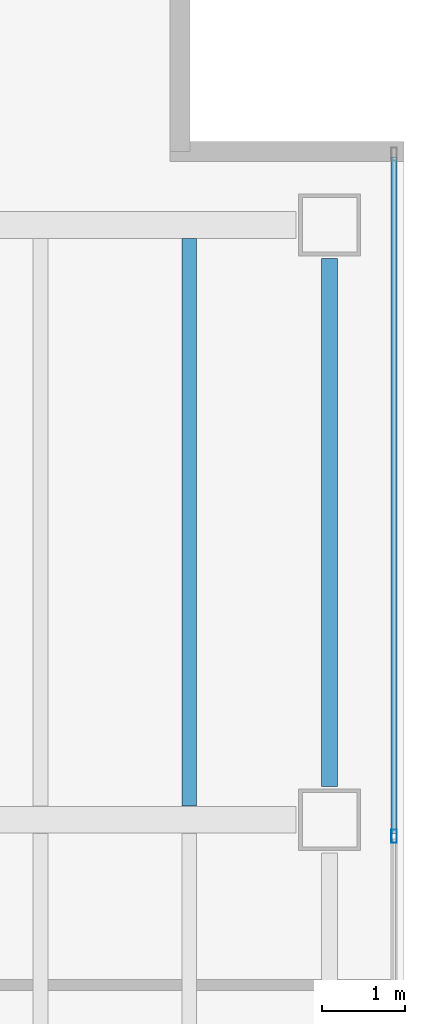
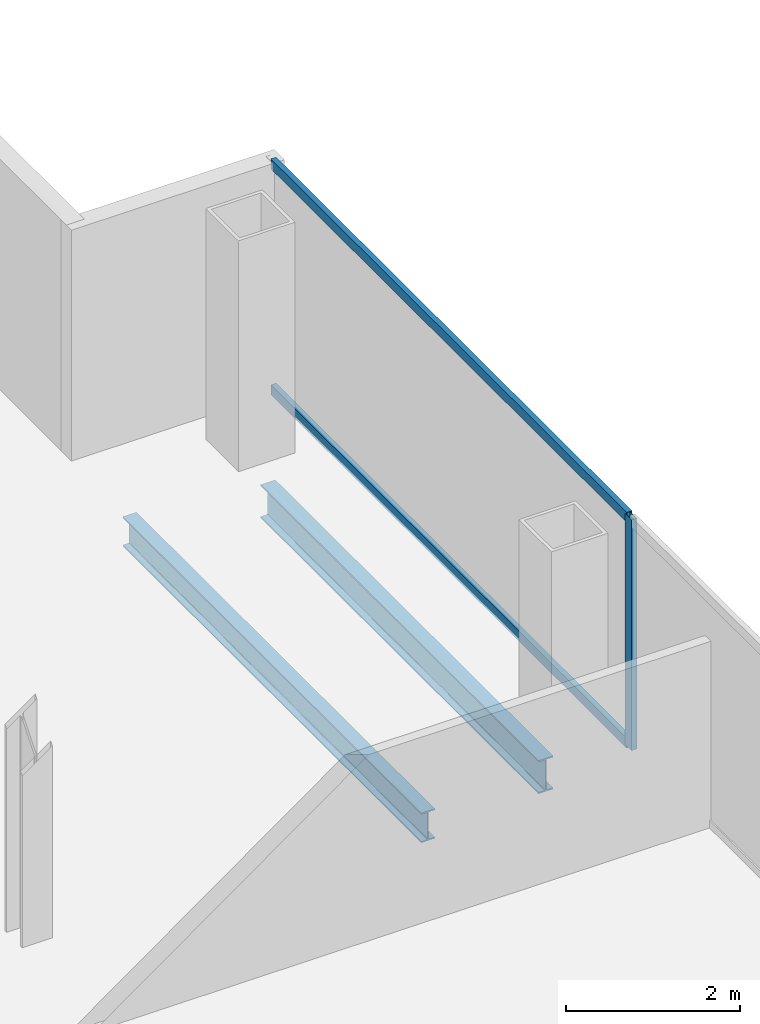
# One storey, part 14 of 23: 3 members, 2 beams, 1 element without a shape of its own.
"""IFC4 building model written with IfcOpenShell, lengths in metres."""

import ifcopenshell
import ifcopenshell.guid

model = None  # the IFC model being written
_history = None  # IfcOwnerHistory: only IFC2X3 demands one
_inside = {}  # id of a spatial element -> (the spatial element, [elements in it])
_under = {}  # id of a project, library or spatial element -> (it, [spatial elements below it])
_declared = {}  # id of a project -> (the project, [libraries it declares])
_typed = {}  # id of a type object -> (the type object, [elements of that type])
_made_of = {}  # id of a material, layer set ... -> (it, [elements and type objects made of it])


def new_model(schema):
    """Start an empty IFC model of exactly this schema.

    Asked for "IFC4X3", IfcOpenShell would pick the latest addendum, in which some entities
    have other attributes; the version numbers below select the first issue.
    IFC2X3 requires an IfcOwnerHistory on every rooted entity: one is made here for all.
    """
    global model, _history
    if schema == "IFC4X3":
        model = ifcopenshell.file(schema_version=(4, 3, 0, 0))
    else:
        model = ifcopenshell.file(schema=schema)
    _inside.clear()
    _under.clear()
    _declared.clear()
    _typed.clear()
    _made_of.clear()
    _history = None
    if model.schema == "IFC2X3":
        org = make("IfcOrganization", Name="unknown")
        user = make(
            "IfcPersonAndOrganization",
            ThePerson=make("IfcPerson", FamilyName="unknown"),
            TheOrganization=org,
        )
        app = make(
            "IfcApplication",
            ApplicationDeveloper=org,
            Version="unknown",
            ApplicationFullName="unknown",
            ApplicationIdentifier="unknown",
        )
        _history = make(
            "IfcOwnerHistory",
            OwningUser=user,
            OwningApplication=app,
            ChangeAction="ADDED",
            CreationDate=0,
        )
    return model


def make(cls, **values):
    """One entity of the class cls with the attributes given. An attribute that is None is left unset."""
    return model.create_entity(
        cls, **{name: value for name, value in values.items() if value is not None}
    )


def rooted(cls, **values):
    """An entity with a GlobalId (a new one), such as an element, a storey or a relation."""
    return make(cls, GlobalId=ifcopenshell.guid.new(), OwnerHistory=_history, **values)


def si_unit(unit_type, name, prefix=None):
    """IfcSIUnit, for example si_unit("LENGTHUNIT", "METRE", prefix="MILLI")."""
    return make("IfcSIUnit", UnitType=unit_type, Prefix=prefix, Name=name)


def assignment(units):
    """IfcUnitAssignment: the units of a project."""
    return None if units is None else make("IfcUnitAssignment", Units=units)


def point(xyz):
    """IfcCartesianPoint."""
    return None if xyz is None else make("IfcCartesianPoint", Coordinates=xyz)


def direction(xyz):
    """IfcDirection."""
    return None if xyz is None else make("IfcDirection", DirectionRatios=xyz)


def frame(location, z_axis=None, x_axis=None):
    """IfcAxis2Placement3D, a coordinate frame: its origin and axes. An axis left out is left unset."""
    return make(
        "IfcAxis2Placement3D",
        Location=point(location),
        Axis=direction(z_axis),
        RefDirection=direction(x_axis),
    )


def frame_2d(location, x_axis=None):
    """IfcAxis2Placement2D, a coordinate frame in the plane: its origin and x axis."""
    return make(
        "IfcAxis2Placement2D", Location=point(location), RefDirection=direction(x_axis)
    )


def origin():
    """The frame at (0, 0, 0) with its axes left unset."""
    return frame((0.0, 0.0, 0.0))


def origin_2d():
    """The frame at (0, 0) in the plane with its x axis left unset."""
    return frame_2d((0.0, 0.0))


def place(relative_to, where):
    """IfcLocalPlacement: puts the frame where relative to a parent placement (None: the world)."""
    return make(
        "IfcLocalPlacement", PlacementRelTo=relative_to, RelativePlacement=where
    )


def context(
    kind, dimensions, precision=None, world=None, true_north=None, identifier=None
):
    """IfcGeometricRepresentationContext, for example the 3D "Model" context."""
    return make(
        "IfcGeometricRepresentationContext",
        ContextIdentifier=identifier,
        ContextType=kind,
        CoordinateSpaceDimension=dimensions,
        Precision=precision,
        WorldCoordinateSystem=world,
        TrueNorth=true_north,
    )


def subcontext(parent, identifier, kind, view, scale=None):
    """IfcGeometricRepresentationSubContext, for example "Body" below "Model"."""
    return make(
        "IfcGeometricRepresentationSubContext",
        ContextIdentifier=identifier,
        ContextType=kind,
        ParentContext=parent,
        TargetScale=scale,
        TargetView=view,
    )


def project(units=None, contexts=None):
    """IfcProject with its units and contexts."""
    return rooted(
        "IfcProject",
        Name="project",
        RepresentationContexts=contexts,
        UnitsInContext=assignment(units),
    )


def spatial(cls, under=None, at=None, **own):
    """A site, building, storey or space (cls), placed at a placement, below another one or the project."""
    s = rooted(cls, ObjectPlacement=at, **own)
    if under is not None:
        _under.setdefault(under.id(), (under, []))[1].append(s)
    return s


def profile(cls, at=None, kind="AREA", **sizes):
    """A parametric profile (cls). Its sizes go by their IFC names, for example OverallWidth=200.0."""
    return make(cls, ProfileType=kind, Position=at, **sizes)


def hollow_rectangle(**sizes):
    """IfcRectangleHollowProfileDef."""
    return profile("IfcRectangleHollowProfileDef", **sizes)


def i_section(**sizes):
    """IfcIShapeProfileDef."""
    return profile("IfcIShapeProfileDef", **sizes)


def extrude(swept, where, along, depth):
    """IfcExtrudedAreaSolid: the profile swept, set in the frame where, extruded along a direction by depth."""
    return make(
        "IfcExtrudedAreaSolid",
        SweptArea=swept,
        Position=where,
        ExtrudedDirection=direction(along),
        Depth=depth,
    )


def shape(context_of_items, identifier, shape_type, items):
    """IfcShapeRepresentation: the items that make up one representation, for example the "Body"."""
    return make(
        "IfcShapeRepresentation",
        ContextOfItems=context_of_items,
        RepresentationIdentifier=identifier,
        RepresentationType=shape_type,
        Items=items,
    )


def material(Name=None, Category=None):
    """IfcMaterial."""
    return make("IfcMaterial", Name=Name, Category=Category)


def material_profile(
    of_material, cross_section, Name=None, Category=None, Priority=None
):
    """IfcMaterialProfile: a cross section and its material."""
    return make(
        "IfcMaterialProfile",
        Name=Name,
        Material=of_material,
        Profile=cross_section,
        Priority=Priority,
        Category=Category,
    )


def profile_set(profiles, Name=None, composite=None):
    """IfcMaterialProfileSet."""
    return make(
        "IfcMaterialProfileSet",
        Name=Name,
        MaterialProfiles=profiles,
        CompositeProfile=composite,
    )


def made_of(thing, what):
    """Note that an element or type object is made of a material, layer set ...; save() writes the relation."""
    if what is not None:
        _made_of.setdefault(what.id(), (what, []))[1].append(thing)
    return thing


def type_object(cls, material=None, **own):
    """A type object (cls), such as IfcWallType, which elements share."""
    return made_of(rooted(cls, **own), material)


def element(
    cls,
    number,
    at=None,
    inside=None,
    cuts=None,
    type_object=None,
    material=None,
    context=None,
    identifier="Body",
    shape_type=None,
    held_by="IfcProductDefinitionShape",
    body=None,
    shapes=None,
    **own,
):
    """One element of the class cls, such as IfcWall. Its Tag is "e" and its number.

    at: its placement. inside: the storey or other place that contains it. cuts: it is an
    opening in that element (IfcRelVoidsElement). A single representation is given by context,
    identifier, shape_type and body (its items); several are given by shapes. held_by: the class
    of the entity that holds the representations. save() writes the other relations.
    """
    e = rooted(cls, Tag="e%d" % number, ObjectPlacement=at, **own)
    if body is not None:
        shapes = [shape(context, identifier, shape_type, body)]
    if shapes is not None:
        e.Representation = make(held_by, Representations=shapes)
    if inside is not None:
        _inside.setdefault(inside.id(), (inside, []))[1].append(e)
    if cuts is not None:
        rooted(
            "IfcRelVoidsElement", RelatingBuildingElement=cuts, RelatedOpeningElement=e
        )
    if type_object is not None:
        _typed.setdefault(type_object.id(), (type_object, []))[1].append(e)
    return made_of(e, material)


def aggregate(whole, parts):
    """IfcRelAggregates: a whole, such as a stair, and the parts it consists of."""
    return rooted("IfcRelAggregates", RelatingObject=whole, RelatedObjects=parts)


def save(model, path):
    """Write the relations noted so far, then the file.

    IfcRelAggregates (storeys below a building ...), IfcRelContainedInSpatialStructure (elements
    in a storey), IfcRelDefinesByType, IfcRelAssociatesMaterial and IfcRelDeclares: one each for
    every whole, place, type object, material and project.
    """
    for whole, parts in _under.values():
        aggregate(whole, parts)
    for where, things in _inside.values():
        rooted(
            "IfcRelContainedInSpatialStructure",
            RelatedElements=things,
            RelatingStructure=where,
        )
    for kind, things in _typed.values():
        rooted("IfcRelDefinesByType", RelatedObjects=things, RelatingType=kind)
    for what, things in _made_of.values():
        rooted("IfcRelAssociatesMaterial", RelatedObjects=things, RelatingMaterial=what)
    for by, libraries in _declared.values():
        rooted("IfcRelDeclares", RelatingContext=by, RelatedDefinitions=libraries)
    model.write(path)


model = new_model("IFC4")

# Units and contexts
model_context = context("Model", 3, precision=1e-05, world=origin(), true_north=direction((0.0, 1.0)))
body_context = subcontext(model_context, "Body", "Model", "MODEL_VIEW")
ifc_project = project(units=[si_unit("LENGTHUNIT", "METRE"), si_unit("AREAUNIT", "SQUARE_METRE"), si_unit("VOLUMEUNIT", "CUBIC_METRE"), si_unit("PLANEANGLEUNIT", "RADIAN"), si_unit("MASSUNIT", "GRAM", prefix="KILO")], contexts=[model_context])

# Site, building, storey
site_placement = place(None, origin())
site = spatial("IfcSite", under=ifc_project, at=site_placement, CompositionType="ELEMENT")
building_placement = place(site_placement, origin())
building = spatial("IfcBuilding", under=site, at=building_placement, Name="Cobrela Telecom Tower", CompositionType="ELEMENT")
storey_placement = place(building_placement, frame((0.0, 0.0, 201.25)))
storey = spatial("IfcBuildingStorey", under=building, at=storey_placement, Name="L51", CompositionType="ELEMENT", Elevation=201.25)

# Beams
ifc_material_1 = material(Name="Steel ASTM A992 Grade 50", Category="steel")
ifc_material_profile_1 = material_profile(ifc_material_1, i_section(OverallWidth=0.179931640625, OverallDepth=0.4169921875, WebThickness=0.010986328125, FlangeThickness=0.01806640625, FilletRadius=0.011962890625, at=origin_2d()), Name="W16X57")
ifc_profile_set_1 = profile_set([ifc_material_profile_1], Name="Steel ASTM A992 Grade 50")
beam_type_1 = type_object("IfcBeamType", Name="BM-JOIST-04", PredefinedType="JOIST", material=ifc_profile_set_1)
beam_1_placement = place(storey_placement, frame((41.39990234375, 14.5673828125, -0.468505859375), z_axis=(0.0, 1.0, 0.0), x_axis=(-1.0, 0.0, 0.0)))
element("IfcBeam", 1, at=beam_1_placement, inside=storey, type_object=beam_type_1, Name="L51 Secondary Composite Floor Beam J30", PredefinedType="JOIST", context=body_context, shape_type="SweptSolid", body=[
    extrude(i_section(OverallWidth=0.179931640625, OverallDepth=0.4169921875, WebThickness=0.010986328125, FlangeThickness=0.01806640625, FilletRadius=0.011962890625, at=origin_2d()), origin(), (0.0, 0.0, 1.0), 6.865234375),
])
ifc_material_profile_2 = material_profile(ifc_material_1, i_section(OverallWidth=0.193115234375, OverallDepth=0.467041015625, WebThickness=0.011474609375, FlangeThickness=0.01904296875, FilletRadius=0.012939453125, at=origin_2d()), Name="W18X65")
ifc_profile_set_2 = profile_set([ifc_material_profile_2], Name="Steel ASTM A992 Grade 50")
beam_type_2 = type_object("IfcBeamType", Name="BM-SPAND-05", PredefinedType="SPANDREL", material=ifc_profile_set_2)
beam_2_placement = place(storey_placement, frame((43.10009765625, 14.804931640625, -0.493408203125), z_axis=(0.0, 1.0, 0.0), x_axis=(-1.0, 0.0, 0.0)))
element("IfcBeam", 2, at=beam_2_placement, inside=storey, type_object=beam_type_2, Name="L51 Perimeter Spandrel Y43", PredefinedType="SPANDREL", context=body_context, shape_type="SweptSolid", body=[
    extrude(i_section(OverallWidth=0.193115234375, OverallDepth=0.467041015625, WebThickness=0.011474609375, FlangeThickness=0.01904296875, FilletRadius=0.012939453125, at=origin_2d()), origin(), (0.0, 0.0, 1.0), 6.39013671875),
])

# Curtain wall, members
ifc_material_2 = material(Name="Anodized Bronze Aluminium 6063-T6", Category="aluminium")
curtain_wall_type = type_object("IfcCurtainWallType", Name="CW-SYS-OFF-LO", PredefinedType="USERDEFINED", material=ifc_material_2)
curtain_wall_placement = place(storey_placement, origin())
curtain_wall = element("IfcCurtainWall", 3, at=curtain_wall_placement, inside=storey, type_object=curtain_wall_type, Name="L51 Unitised Bronze Curtain Wall 14", ObjectType="UNITISED CURTAIN WALL", PredefinedType="USERDEFINED")
ifc_material_profile_3 = material_profile(ifc_material_2, hollow_rectangle(XDim=0.070068359375, YDim=0.159912109375, WallThickness=0.00390625, at=origin_2d()), Name="ALU 70x160x4")
ifc_profile_set_3 = profile_set([ifc_material_profile_3], Name="Anodized Bronze Aluminium 6063-T6")
member_type_1 = type_object("IfcMemberType", Name="CW-SYS-OFF-LO-MUL", PredefinedType="MULLION", material=ifc_profile_set_3)
member_1_placement = place(storey_placement, frame((43.8798828125, 14.199951171875, 0.0), z_axis=(0.0, 0.0, 1.0), x_axis=(1.0, 0.0, 0.0)))
member_1 = element("IfcMember", 4, at=member_1_placement, type_object=member_type_1, Name="CW-OFF-LO mullion 2", PredefinedType="MULLION", context=body_context, shape_type="SweptSolid", body=[
    extrude(hollow_rectangle(XDim=0.070068359375, YDim=0.159912109375, WallThickness=0.00390625, at=origin_2d()), origin(), (0.0, 0.0, 1.0), 3.239990234375),
])
ifc_material_profile_4 = material_profile(ifc_material_2, hollow_rectangle(XDim=0.070068359375, YDim=0.139892578125, WallThickness=0.00390625, at=origin_2d()), Name="ALU 70x140x4")
ifc_profile_set_4 = profile_set([ifc_material_profile_4], Name="Anodized Bronze Aluminium 6063-T6")
member_type_2 = type_object("IfcMemberType", Name="CW-SYS-OFF-LO-TRN", PredefinedType="USERDEFINED", material=ifc_profile_set_4)
member_2_placement = place(storey_placement, frame((43.8798828125, 22.419921875, 0.034912109375), z_axis=(0.0, -1.0, 0.0), x_axis=(1.0, 0.0, 0.0)))
member_2 = element("IfcMember", 5, at=member_2_placement, type_object=member_type_2, Name="CW-OFF-LO transom 1.1", ObjectType="TRANSOM", PredefinedType="USERDEFINED", context=body_context, shape_type="SweptSolid", body=[
    extrude(hollow_rectangle(XDim=0.070068359375, YDim=0.139892578125, WallThickness=0.00390625, at=origin_2d()), origin(), (0.0, 0.0, 1.0), 8.184814453125),
])
member_3_placement = place(storey_placement, frame((43.8798828125, 22.419921875, 3.205078125), z_axis=(0.0, -1.0, 0.0), x_axis=(1.0, 0.0, 0.0)))
member_3 = element("IfcMember", 6, at=member_3_placement, type_object=member_type_2, Name="CW-OFF-LO transom 1.2", ObjectType="TRANSOM", PredefinedType="USERDEFINED", context=body_context, shape_type="SweptSolid", body=[
    extrude(hollow_rectangle(XDim=0.070068359375, YDim=0.139892578125, WallThickness=0.00390625, at=origin_2d()), origin(), (0.0, 0.0, 1.0), 8.184814453125),
])
aggregate(curtain_wall, [member_1, member_2, member_3])

save(model, "model.ifc")
